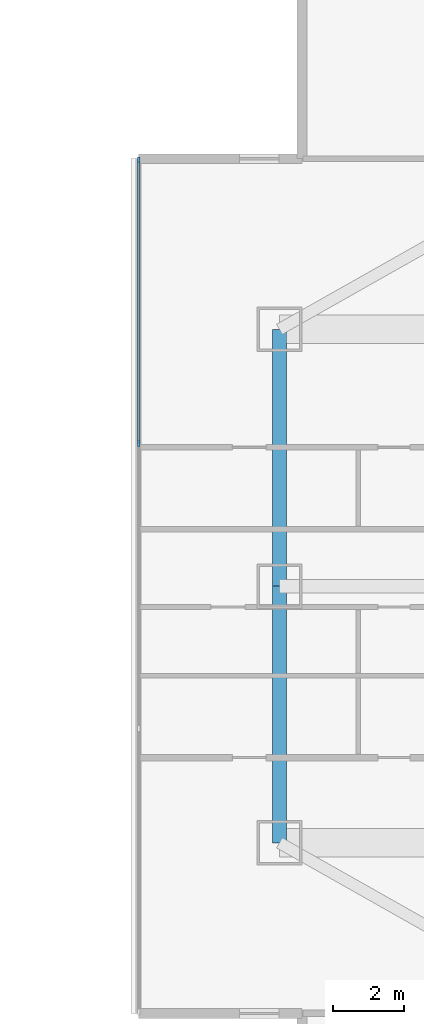
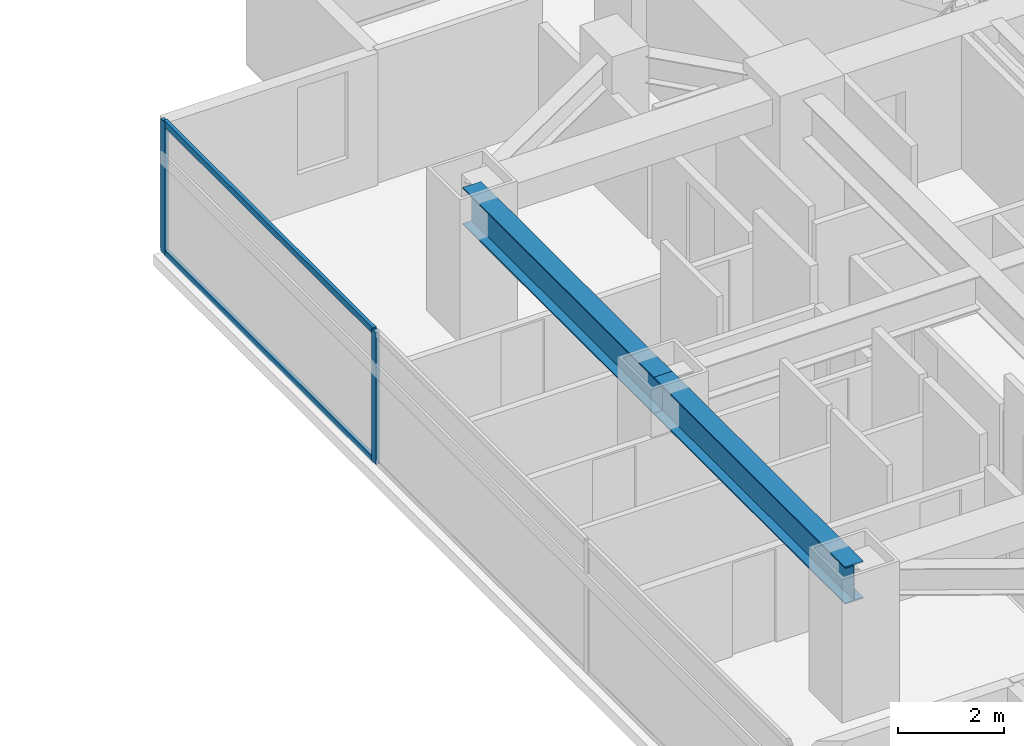
# One storey, part 6 of 26: 4 members, 2 beams, 1 element without a shape of its own.
"""IFC4 building model written with IfcOpenShell, lengths in metres."""

from ifc_helpers import new_model, si_unit, direction, frame, origin, origin_2d, place, context, subcontext, project, spatial, rectangle, i_section, extrude, material, material_profile, profile_set, type_object, element, aggregate, save


model = new_model("IFC4")

# Units and contexts
model_context = context("Model", 3, precision=1e-05, world=origin(), true_north=direction((0.0, 1.0)))
body_context = subcontext(model_context, "Body", "Model", "MODEL_VIEW")
ifc_project = project(units=[si_unit("LENGTHUNIT", "METRE"), si_unit("AREAUNIT", "SQUARE_METRE"), si_unit("VOLUMEUNIT", "CUBIC_METRE"), si_unit("PLANEANGLEUNIT", "RADIAN"), si_unit("MASSUNIT", "GRAM", prefix="KILO")], contexts=[model_context])

# Site, building, storey
site_placement = place(None, origin())
site = spatial("IfcSite", under=ifc_project, at=site_placement, CompositionType="ELEMENT")
building_placement = place(site_placement, origin())
building = spatial("IfcBuilding", under=site, at=building_placement, Name="Mirazonda Arch Towers", CompositionType="ELEMENT")
storey_placement = place(building_placement, frame((0.0, 0.0, 45.5)))
storey = spatial("IfcBuildingStorey", under=building, at=storey_placement, Name="L12", CompositionType="ELEMENT", Elevation=45.5)

# Beams
ifc_material_1 = material(Name="Steel ASTM A992 Grade 50", Category="steel")
ifc_material_profile_1 = material_profile(ifc_material_1, i_section(OverallWidth=0.39990234375, OverallDepth=0.85595703125, WebThickness=0.018310546875, FlangeThickness=0.029296875, at=origin_2d()), Name="W33X201")
ifc_profile_set_1 = profile_set([ifc_material_profile_1], Name="Steel ASTM A992 Grade 50")
beam_type = type_object("IfcBeamType", Name="BM-EXT-W33X201", PredefinedType="USERDEFINED", material=ifc_profile_set_1)
for number, where, z_axis, x_axis, name in (
    (1, (61.0, 20.800048828125, 2.632080078125), (0.0, 1.0, 0.0), (-1.0, 0.0, 0.0), "L12 Floor Beam BM-T2-L12-NS-W-20"),
    (2, (61.0, 28.0, 2.632080078125), (0.0, 1.0, 0.0), (-1.0, 0.0, 0.0), "L12 Floor Beam BM-T2-L12-NS-W-28"),
):
    element("IfcBeam", number, at=place(storey_placement, frame(where, z_axis=z_axis, x_axis=x_axis)), inside=storey, type_object=beam_type, Name=name, ObjectType="GIRDER", PredefinedType="USERDEFINED", context=body_context, shape_type="SweptSolid", body=[
        extrude(i_section(OverallWidth=0.39990234375, OverallDepth=0.85595703125, WebThickness=0.018310546875, FlangeThickness=0.029296875, at=origin_2d()), origin(), (0.0, 0.0, 1.0), 7.199951171875),
    ])

# Curtain wall, members
ifc_material_2 = material(Name="Anodised Aluminium and Low-E Glass", Category="aluminium")
curtain_wall_type = type_object("IfcCurtainWallType", Name="CW-HTL-UNIT", PredefinedType="NOTDEFINED", material=ifc_material_2)
curtain_wall_placement = place(storey_placement, origin())
curtain_wall = element("IfcCurtainWall", 3, at=curtain_wall_placement, inside=storey, type_object=curtain_wall_type, Name="L12 T2 W Facade CW-L12-T2-W", PredefinedType="NOTDEFINED")
ifc_material_3 = material(Name="Anodised Aluminium Alloy", Category="aluminium")
ifc_material_profile_2 = material_profile(ifc_material_3, rectangle(XDim=0.074951171875, YDim=0.1650390625, at=origin_2d()), Name="ALU-MULL-75x165")
ifc_profile_set_2 = profile_set([ifc_material_profile_2], Name="Anodised Aluminium Alloy")
member_type_1 = type_object("IfcMemberType", Name="MULL-CW-HTL-UNIT", PredefinedType="MULLION", material=ifc_profile_set_2)
member_1_placement = place(storey_placement, frame((57.053955078125, 39.945556640625, 0.0), z_axis=(0.0, 0.0, 1.0), x_axis=(1.0, 0.0, 0.0)))
member_1 = element("IfcMember", 4, at=member_1_placement, type_object=member_type_1, Name="CW-112 mullion 1", PredefinedType="MULLION", context=body_context, shape_type="SweptSolid", body=[
    extrude(rectangle(XDim=0.074951171875, YDim=0.1650390625, at=origin_2d()), origin(), (0.0, 0.0, 1.0), 3.0400390625),
])
member_2_placement = place(storey_placement, frame((57.053955078125, 31.994384765625, 0.0), z_axis=(0.0, 0.0, 1.0), x_axis=(1.0, 0.0, 0.0)))
member_2 = element("IfcMember", 5, at=member_2_placement, type_object=member_type_1, Name="CW-112 mullion 2", PredefinedType="MULLION", context=body_context, shape_type="SweptSolid", body=[
    extrude(rectangle(XDim=0.074951171875, YDim=0.1650390625, at=origin_2d()), origin(), (0.0, 0.0, 1.0), 3.0400390625),
])
ifc_material_profile_3 = material_profile(ifc_material_3, rectangle(XDim=0.074951171875, YDim=0.14501953125, at=origin_2d()), Name="ALU-TRAN-75x145")
ifc_profile_set_3 = profile_set([ifc_material_profile_3], Name="Anodised Aluminium Alloy")
member_type_2 = type_object("IfcMemberType", Name="TRAN-CW-HTL-UNIT", PredefinedType="USERDEFINED", material=ifc_profile_set_3)
member_3_placement = place(storey_placement, frame((57.053955078125, 39.908203125, 0.03759765625), z_axis=(0.0, -1.0, 0.0), x_axis=(1.0, 0.0, 0.0)))
member_3 = element("IfcMember", 6, at=member_3_placement, type_object=member_type_2, Name="CW-112 transom 1.1", ObjectType="TRANSOM", PredefinedType="USERDEFINED", context=body_context, shape_type="SweptSolid", body=[
    extrude(rectangle(XDim=0.074951171875, YDim=0.14501953125, at=origin_2d()), origin(), (0.0, 0.0, 1.0), 7.876220703125),
])
member_4_placement = place(storey_placement, frame((57.053955078125, 39.908203125, 3.00244140625), z_axis=(0.0, -1.0, 0.0), x_axis=(1.0, 0.0, 0.0)))
member_4 = element("IfcMember", 7, at=member_4_placement, type_object=member_type_2, Name="CW-112 transom 1.2", ObjectType="TRANSOM", PredefinedType="USERDEFINED", context=body_context, shape_type="SweptSolid", body=[
    extrude(rectangle(XDim=0.074951171875, YDim=0.14501953125, at=origin_2d()), origin(), (0.0, 0.0, 1.0), 7.876220703125),
])
aggregate(curtain_wall, [member_1, member_2, member_3, member_4])

save(model, "model.ifc")
